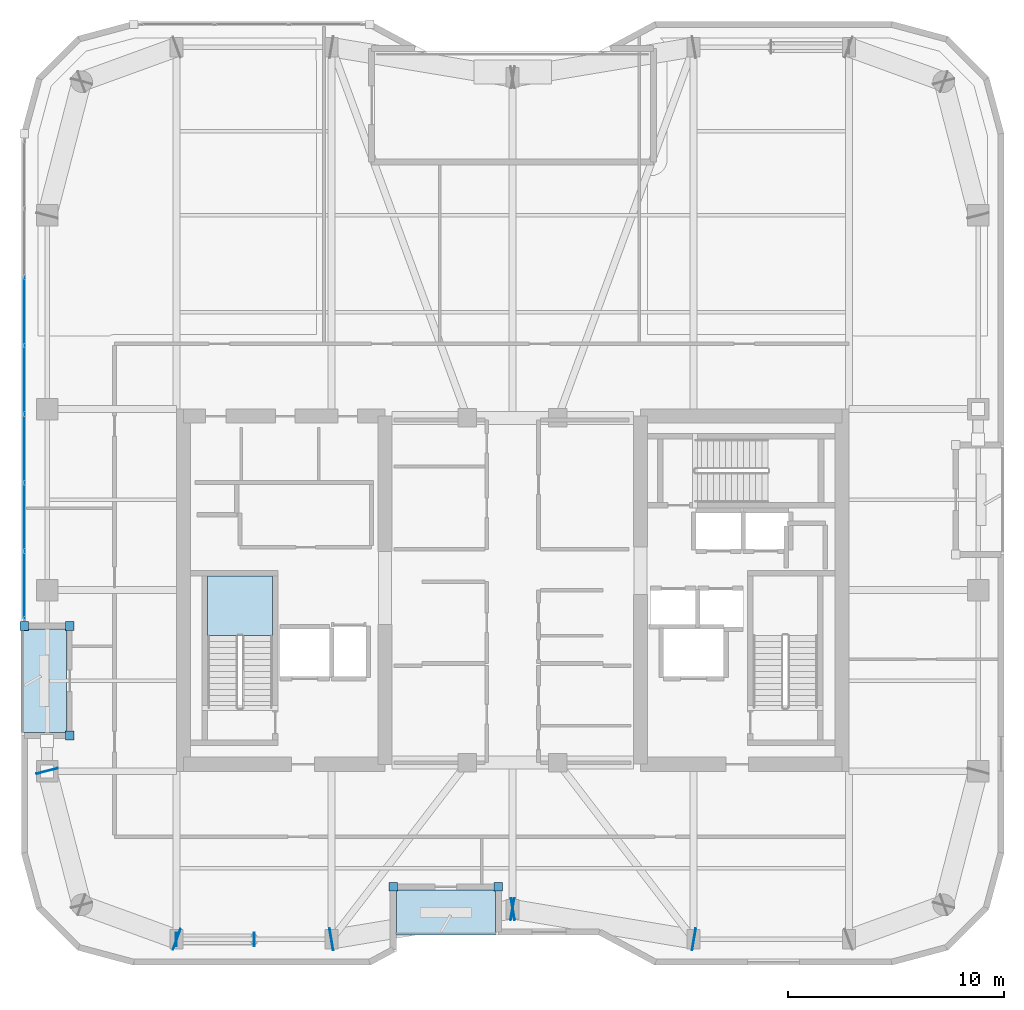
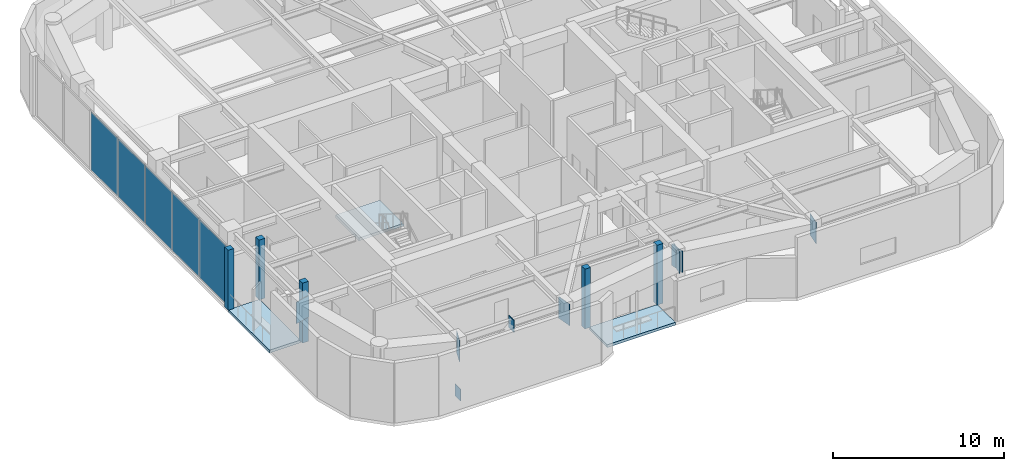
# One storey, part 10 of 19: 18 plates, 3 slabs, 2 elements without a shape of their own.
"""IFC4 building model written with IfcOpenShell, lengths in metres."""

from ifc_helpers import new_model, si_unit, direction, frame, origin, origin_2d, place, context, subcontext, project, spatial, polyline, rectangle, outline, extrude, material, layer, layer_set, type_object, element, aggregate, save


model = new_model("IFC4")

# Units and contexts
model_context = context("Model", 3, precision=1e-05, world=origin(), true_north=direction((0.0, 1.0)))
body_context = subcontext(model_context, "Body", "Model", "MODEL_VIEW")
ifc_project = project(units=[si_unit("LENGTHUNIT", "METRE"), si_unit("AREAUNIT", "SQUARE_METRE"), si_unit("VOLUMEUNIT", "CUBIC_METRE"), si_unit("PLANEANGLEUNIT", "RADIAN"), si_unit("MASSUNIT", "GRAM", prefix="KILO")], contexts=[model_context])

# Site, building, storey
site_placement = place(None, origin())
site = spatial("IfcSite", under=ifc_project, at=site_placement, CompositionType="ELEMENT")
building_placement = place(site_placement, origin())
building = spatial("IfcBuilding", under=site, at=building_placement, Name="Kiyonajd Concourse Tower", CompositionType="ELEMENT")
storey_placement = place(building_placement, frame((0.0, 0.0, 238.800048828125)))
storey = spatial("IfcBuildingStorey", under=building, at=storey_placement, Name="L60", CompositionType="ELEMENT", Elevation=238.800048828125)

# Plates
ifc_material_1 = material(Name="Steel ASTM A572 Grade 50", Category="steel")
ifc_layer_1 = layer(ifc_material_1, 0.028076171875)
ifc_layer_set_1 = layer_set([ifc_layer_1], Name="Steel ASTM A572 Grade 50")
plate_type_1 = type_object("IfcPlateType", Name="PL-CAP-450", PredefinedType="USERDEFINED", material=ifc_layer_set_1)
for number, where, z_axis, x_axis, name in (
    (1, (32.392333984375, 19.800048828125, -0.13818359375), (0.0, 0.0, 1.0), (-1.0, 0.0, 0.0), "L60 Hollow Brace End Cap Plate PBS"),
    (2, (36.0078125, 19.800048828125, 3.50732421875), (0.0, 0.0, 1.0), (1.0, 0.0, 0.0), "L60 Hollow Brace Top Cap Plate PBS"),
):
    element("IfcPlate", number, at=place(storey_placement, frame(where, z_axis=z_axis, x_axis=x_axis)), inside=storey, type_object=plate_type_1, Name=name, ObjectType="CAP PLATE", PredefinedType="USERDEFINED", context=body_context, shape_type="SweptSolid", body=[
        extrude(rectangle(XDim=0.035888671875, YDim=0.6279296875, at=origin_2d()), origin(), (0.0, 0.0, 1.0), 0.861083984375),
    ])
ifc_layer_2 = layer(ifc_material_1, 0.031982421875)
ifc_layer_set_2 = layer_set([ifc_layer_2], Name="Steel ASTM A572 Grade 50")
plate_type_2 = type_object("IfcPlateType", Name="PL-CAP-540", PredefinedType="USERDEFINED", material=ifc_layer_set_2)
for number, where, z_axis, x_axis, name in (
    (3, (26.397216796875, 27.610595703125, 2.809814453125), (0.0, 0.0, 1.0), (-0.249873048837, 0.968278606324, 0.0), "L60 Welded Box Girder End Cap"),
    (4, (32.410400390625, 19.796142578125, 2.809814453125), (0.0, 0.0, 1.0), (0.939811951086, -0.341692107891, 0.0), "L60 Welded Box Girder End Cap"),
    (5, (39.589111328125, 19.798095703125, 2.809814453125), (0.0, 0.0, 1.0), (-0.986400586142, -0.164359008451, 0.0), "L60 Welded Box Girder End Cap"),
    (6, (48.010986328125, 21.201904296875, 2.809814453125), (0.0, 0.0, 1.0), (0.986400586142, 0.164359008451, 0.0), "L60 Welded Box Girder End Cap"),
    (7, (47.989013671875, 21.201904296875, 2.809814453125), (0.0, 0.0, 1.0), (-0.986400586142, 0.164359008451, 0.0), "L60 Welded Box Girder End Cap"),
    (8, (56.410888671875, 19.798095703125, 2.809814453125), (0.0, 0.0, 1.0), (0.986400586142, -0.164359008451, 0.0), "L60 Welded Box Girder End Cap"),
):
    element("IfcPlate", number, at=place(storey_placement, frame(where, z_axis=z_axis, x_axis=x_axis)), inside=storey, type_object=plate_type_2, Name=name, ObjectType="CAP PLATE", PredefinedType="USERDEFINED", context=body_context, shape_type="SweptSolid", body=[
        extrude(rectangle(XDim=0.035888671875, YDim=1.02001953125, at=origin_2d()), origin(), (0.0, 0.0, 1.0), 1.5400390625),
    ])

# Curtain wall, plates
ifc_material_2 = material(Name="Thermally Broken Anodised Aluminium", Category="aluminium")
ifc_layer_3 = layer(ifc_material_2, 0.179931640625)
ifc_layer_set_3 = layer_set([ifc_layer_3], Name="Thermally Broken Anodised Aluminium")
curtain_wall_type = type_object("IfcCurtainWallType", Name="CW-SYS-05", PredefinedType="NOTDEFINED", material=ifc_layer_set_3)
curtain_wall_placement = place(storey_placement, origin())
curtain_wall = element("IfcCurtainWall", 9, at=curtain_wall_placement, inside=storey, type_object=curtain_wall_type, Name="L60 Unitised Curtain Wall CW5", PredefinedType="NOTDEFINED")
ifc_material_3 = material(Name="Double Low-E Insulated Glass", Category="glass")
ifc_layer_4 = layer(ifc_material_3, 0.0400390625)
ifc_layer_set_4 = layer_set([ifc_layer_4], Name="Double Low-E Insulated Glass")
plate_type_3 = type_object("IfcPlateType", Name="PL-CW-VIS40", PredefinedType="CURTAIN_PANEL", material=ifc_layer_set_4)
plate_1_placement = place(storey_placement, frame((25.340087890625, 36.23876953125, 0.074951171875), z_axis=(0.0, 0.0, 1.0), x_axis=(0.0, 1.0, 0.0)))
plate_1 = element("IfcPlate", 10, at=plate_1_placement, type_object=plate_type_3, Name="CW5 panel 1.1", PredefinedType="CURTAIN_PANEL", context=body_context, shape_type="SweptSolid", body=[
    extrude(rectangle(XDim=3.067626953125, YDim=0.0400390625, at=origin_2d()), origin(), (0.0, 0.0, 1.0), 4.1298828125),
])
plate_2_placement = place(storey_placement, frame((25.340087890625, 39.400390625, 0.074951171875), z_axis=(0.0, 0.0, 1.0), x_axis=(0.0, 1.0, 0.0)))
plate_2 = element("IfcPlate", 11, at=plate_2_placement, type_object=plate_type_3, Name="CW5 panel 2.1", PredefinedType="CURTAIN_PANEL", context=body_context, shape_type="SweptSolid", body=[
    extrude(rectangle(XDim=3.105224609375, YDim=0.0400390625, at=origin_2d()), origin(), (0.0, 0.0, 1.0), 4.1298828125),
])
plate_3_placement = place(storey_placement, frame((25.340087890625, 42.58056640625, 0.074951171875), z_axis=(0.0, 0.0, 1.0), x_axis=(0.0, 1.0, 0.0)))
plate_3 = element("IfcPlate", 12, at=plate_3_placement, type_object=plate_type_3, Name="CW5 panel 3.1", PredefinedType="CURTAIN_PANEL", context=body_context, shape_type="SweptSolid", body=[
    extrude(rectangle(XDim=3.105224609375, YDim=0.0400390625, at=origin_2d()), origin(), (0.0, 0.0, 1.0), 4.1298828125),
])
plate_4_placement = place(storey_placement, frame((25.340087890625, 45.7607421875, 0.074951171875), z_axis=(0.0, 0.0, 1.0), x_axis=(0.0, 1.0, 0.0)))
plate_4 = element("IfcPlate", 13, at=plate_4_placement, type_object=plate_type_3, Name="CW5 panel 4.1", PredefinedType="CURTAIN_PANEL", context=body_context, shape_type="SweptSolid", body=[
    extrude(rectangle(XDim=3.105224609375, YDim=0.0400390625, at=origin_2d()), origin(), (0.0, 0.0, 1.0), 4.1298828125),
])
plate_5_placement = place(storey_placement, frame((25.340087890625, 48.94091796875, 0.074951171875), z_axis=(0.0, 0.0, 1.0), x_axis=(0.0, 1.0, 0.0)))
plate_5 = element("IfcPlate", 14, at=plate_5_placement, type_object=plate_type_3, Name="CW5 panel 5.1", PredefinedType="CURTAIN_PANEL", context=body_context, shape_type="SweptSolid", body=[
    extrude(rectangle(XDim=3.105224609375, YDim=0.0400390625, at=origin_2d()), origin(), (0.0, 0.0, 1.0), 4.1298828125),
])
aggregate(curtain_wall, [plate_1, plate_2, plate_3, plate_4, plate_5])

# Plates
ifc_layer_5 = layer(ifc_material_2, 0.39990234375)
ifc_layer_set_5 = layer_set([ifc_layer_5], Name="Thermally Broken Anodised Aluminium")
plate_type_4 = type_object("IfcPlateType", Name="PL-JMB-400", PredefinedType="USERDEFINED", material=ifc_layer_set_5)
for number, where, z_axis, x_axis, name in (
    (15, (27.43994140625, 29.260009765625, 0.0), (0.0, 0.0, 1.0), (1.0, 0.0, 0.0), "L60 Facade Jamb Closure Plate 01"),
    (16, (27.43994140625, 34.340087890625, 0.0), (0.0, 0.0, 1.0), (1.0, 0.0, 0.0), "L60 Facade Jamb Closure Plate 02"),
    (17, (25.340087890625, 34.340087890625, 0.0), (0.0, 0.0, 1.0), (1.0, 0.0, 0.0), "L60 Facade Jamb Closure Plate 03"),
    (18, (47.340087890625, 22.239990234375, 0.0), (0.0, 0.0, 1.0), (1.0, 0.0, 0.0), "L60 Facade Jamb Closure Plate 09"),
    (19, (42.4599609375, 22.239990234375, 0.0), (0.0, 0.0, 1.0), (1.0, 0.0, 0.0), "L60 Facade Jamb Closure Plate 10"),
):
    element("IfcPlate", number, at=place(storey_placement, frame(where, z_axis=z_axis, x_axis=x_axis)), inside=storey, type_object=plate_type_4, Name=name, ObjectType="JAMB PLATE", PredefinedType="USERDEFINED", context=body_context, shape_type="SweptSolid", body=[
        extrude(rectangle(XDim=0.39990234375, YDim=0.39990234375, at=origin_2d()), origin(), (0.0, 0.0, 1.0), 4.280029296875),
    ])

# Stair, slab
ifc_material_4 = material(Name="Concrete C40/50", Category="concrete")
stair_type = type_object("IfcStairType", Name="ST-DLG-26R", PredefinedType="HALF_TURN_STAIR", material=ifc_material_4)
stair_placement = place(storey_placement, origin())
stair = element("IfcStair", 20, at=stair_placement, inside=storey, type_object=stair_type, Name="L60 Protected Exit Stair ST1", PredefinedType="HALF_TURN_STAIR")
ifc_layer_6 = layer(ifc_material_4, 0.199951171875)
ifc_layer_set_6 = layer_set([ifc_layer_6], Name="Concrete C40/50")
slab_type_1 = type_object("IfcSlabType", Name="SL-LND-200", PredefinedType="LANDING", material=ifc_layer_set_6)
slab_1_placement = place(storey_placement, frame((0.0, 0.0, 2.050048828125)))
slab_1 = element("IfcSlab", 21, at=slab_1_placement, type_object=slab_type_1, Name="ST1 landing 1", PredefinedType="LANDING", context=body_context, shape_type="SweptSolid", body=[
    extrude(outline(polyline([(36.85009765625, 33.909912109375), (36.85009765625, 36.64990234375), (33.85009765625, 36.64990234375), (33.85009765625, 33.909912109375), (36.85009765625, 33.909912109375)])), origin(), (0.0, 0.0, 1.0), 0.199951171875),
])
aggregate(stair, [slab_1])

# Slabs
ifc_material_5 = material(Name="Precast concrete C50/60", Category="concrete")
ifc_layer_7 = layer(ifc_material_5, 0.199951171875)
ifc_layer_set_7 = layer_set([ifc_layer_7], Name="Precast concrete C50/60")
slab_type_2 = type_object("IfcSlabType", Name="SL-LOG-200", PredefinedType="FLOOR", material=ifc_layer_set_7)
slab_2_placement = place(storey_placement, frame((0.0, 0.0, -0.199951171875)))
element("IfcSlab", 22, at=slab_2_placement, inside=storey, type_object=slab_type_2, Name="L60 Recessed Engawa Loggia Terrace Slab LOG-S", PredefinedType="FLOOR", context=body_context, shape_type="SweptSolid", body=[
    extrude(outline(polyline([(42.60009765625, 20.0), (47.199951171875, 20.0), (47.199951171875, 22.10009765625), (42.60009765625, 22.10009765625), (42.60009765625, 20.0)])), origin(), (0.0, 0.0, 1.0), 0.199951171875),
])
slab_3_placement = place(storey_placement, frame((0.0, 0.0, -0.199951171875)))
element("IfcSlab", 23, at=slab_3_placement, inside=storey, type_object=slab_type_2, Name="L60 Recessed Engawa Loggia Terrace Slab LOG-W", PredefinedType="FLOOR", context=body_context, shape_type="SweptSolid", body=[
    extrude(outline(polyline([(25.199951171875, 29.39990234375), (27.300048828125, 29.39990234375), (27.300048828125, 34.199951171875), (25.199951171875, 34.199951171875), (25.199951171875, 29.39990234375)])), origin(), (0.0, 0.0, 1.0), 0.199951171875),
])

save(model, "model.ifc")
